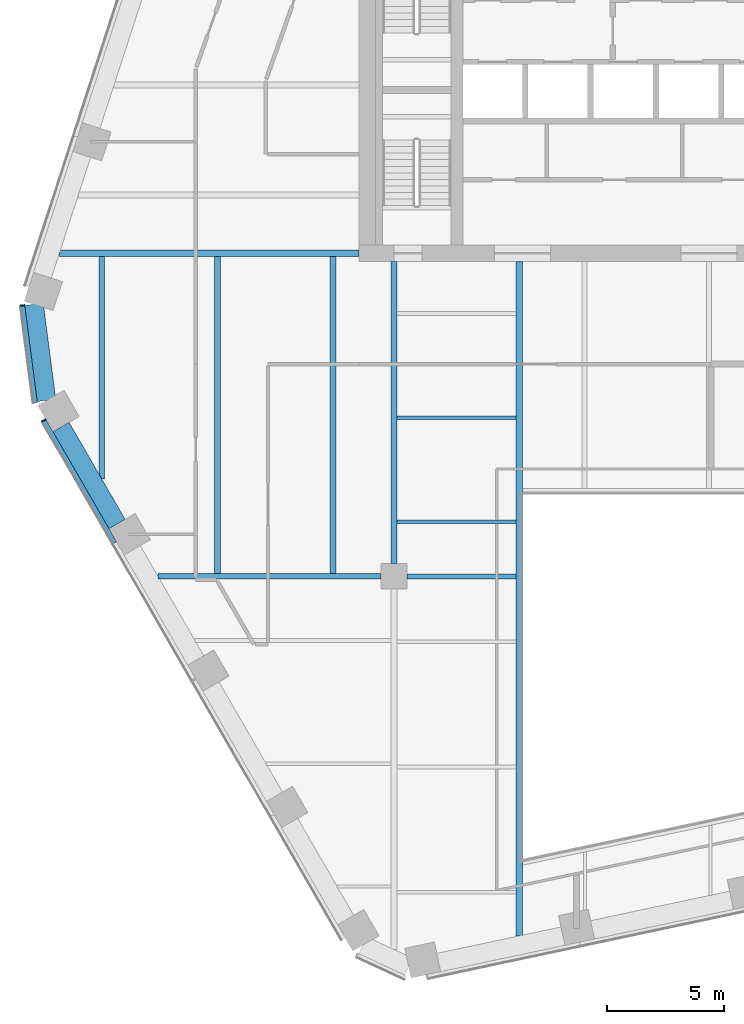
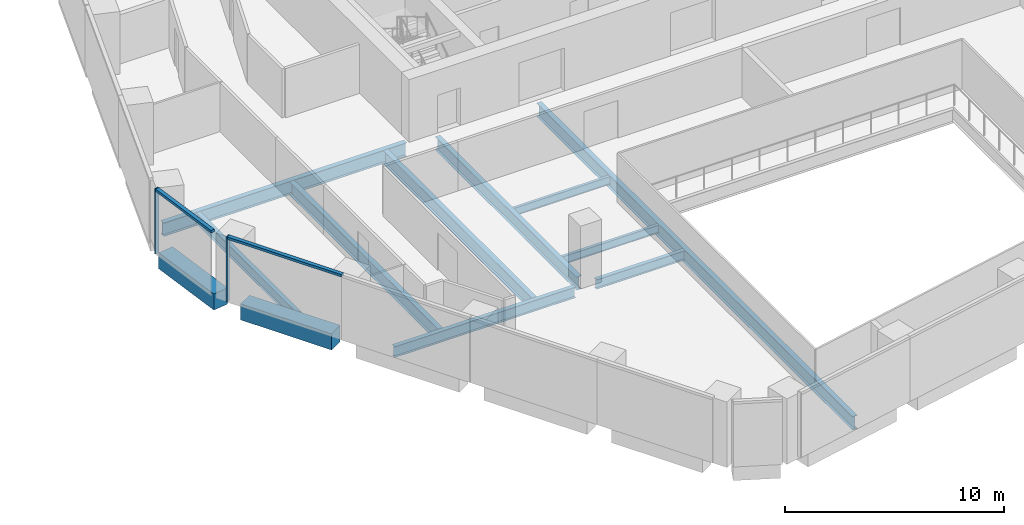
# One storey, part 3 of 16: 12 beams, 4 members, 2 elements without a shape of their own.
"""IFC4 building model written with IfcOpenShell, lengths in metres."""

from ifc_helpers import new_model, si_unit, direction, frame, origin, origin_2d, place, context, subcontext, project, spatial, rectangle, i_section, extrude, material, layer, layer_set, material_profile, profile_set, type_object, element, aggregate, save


model = new_model("IFC4")

# Units and contexts
model_context = context("Model", 3, precision=1e-05, world=origin(), true_north=direction((0.0, 1.0)))
body_context = subcontext(model_context, "Body", "Model", "MODEL_VIEW")
ifc_project = project(units=[si_unit("LENGTHUNIT", "METRE"), si_unit("AREAUNIT", "SQUARE_METRE"), si_unit("VOLUMEUNIT", "CUBIC_METRE"), si_unit("PLANEANGLEUNIT", "RADIAN"), si_unit("MASSUNIT", "GRAM", prefix="KILO")], contexts=[model_context])

# Site, building, storey
site_placement = place(None, origin())
site = spatial("IfcSite", under=ifc_project, at=site_placement, CompositionType="ELEMENT")
building_placement = place(site_placement, origin())
building = spatial("IfcBuilding", under=site, at=building_placement, Name="Isthmus Gate Tower", CompositionType="ELEMENT")
storey_placement = place(building_placement, frame((0.0, 0.0, 185.39990234375)))
storey = spatial("IfcBuildingStorey", under=building, at=storey_placement, Name="L46", CompositionType="ELEMENT", Elevation=185.39990234375)

# Curtain wall, member
ifc_material_1 = material(Name="Aluminium, pale champagne anodised", Category="aluminium")
ifc_layer = layer(ifc_material_1, 0.199951171875)
ifc_layer_set = layer_set([ifc_layer], Name="CW-1 UNITISED CURTAIN WALL 200 DEEP")
curtain_wall_type = type_object("IfcCurtainWallType", Name="CW-1 UNITISED CURTAIN WALL 200 DEEP", PredefinedType="NOTDEFINED", material=ifc_layer_set)
curtain_wall_1_placement = place(storey_placement, origin())
curtain_wall_1 = element("IfcCurtainWall", 1, at=curtain_wall_1_placement, inside=storey, type_object=curtain_wall_type, Name="CW-1 NW-SW L46", PredefinedType="NOTDEFINED")
ifc_material_2 = material(Name="Aluminium, pale champagne anodised", Category="aluminium")
ifc_material_profile_1 = material_profile(ifc_material_2, rectangle(XDim=0.06005859375, YDim=0.199951171875, at=origin_2d()), Name="60x200")
ifc_profile_set_1 = profile_set([ifc_material_profile_1], Name="Aluminium, pale champagne anodised")
member_type_1 = type_object("IfcMemberType", Name="CW-1 MULLION 60 X 200", PredefinedType="MULLION", material=ifc_profile_set_1)
member_1_placement = place(storey_placement, frame((-29.42724609375, -1.88525390625, 0.0), z_axis=(0.0, 0.0, 1.0), x_axis=(0.129164534, -0.991623175988, 0.0)))
member_1 = element("IfcMember", 2, at=member_1_placement, type_object=member_type_1, Name="CW-1 mullion", PredefinedType="MULLION", context=body_context, shape_type="SweptSolid", body=[
    extrude(rectangle(XDim=0.06005859375, YDim=0.199951171875, at=origin_2d()), origin(), (0.0, 0.0, 1.0), 3.650146484375),
])

curtain_wall_2_placement = place(storey_placement, origin())
curtain_wall_2 = element("IfcCurtainWall", 3, at=curtain_wall_2_placement, inside=storey, type_object=curtain_wall_type, Name="CW-1 SW L46", PredefinedType="NOTDEFINED")
member_2_placement = place(storey_placement, frame((-28.5146484375, -6.811279296875, 0.0), z_axis=(0.0, 0.0, 1.0), x_axis=(0.5, -0.866025403784, 0.0)))
member_2 = element("IfcMember", 4, at=member_2_placement, type_object=member_type_1, Name="CW-1 mullion", PredefinedType="MULLION", context=body_context, shape_type="SweptSolid", body=[
    extrude(rectangle(XDim=0.06005859375, YDim=0.199951171875, at=origin_2d()), origin(), (0.0, 0.0, 1.0), 3.650146484375),
])

# Member
ifc_material_3 = material(Name="Aluminium, pale champagne anodised", Category="aluminium")
ifc_material_profile_2 = material_profile(ifc_material_3, rectangle(XDim=0.199951171875, YDim=0.139892578125, at=origin_2d()), Name="200x140")
ifc_profile_set_2 = profile_set([ifc_material_profile_2], Name="Aluminium, pale champagne anodised")
member_type_2 = type_object("IfcMemberType", Name="CW-1 TRANSOM 200 X 140", PredefinedType="USERDEFINED", material=ifc_profile_set_2)
member_3_placement = place(storey_placement, frame((-29.42333984375, -1.9150390625, 3.580078125), z_axis=(0.129149481977, -0.991625136483, 0.0), x_axis=(0.991625136483, 0.129149481977, 0.0)))
member_3 = element("IfcMember", 5, at=member_3_placement, type_object=member_type_2, Name="CW-1 transom", ObjectType="TRANSOM", PredefinedType="USERDEFINED", context=body_context, shape_type="SweptSolid", body=[
    extrude(rectangle(XDim=0.199951171875, YDim=0.139892578125, at=origin_2d()), origin(), (0.0, 0.0, 1.0), 4.181396484375),
])

aggregate(curtain_wall_1, [member_1, member_3])

member_4_placement = place(storey_placement, frame((-28.49951171875, -6.837158203125, 3.580078125), z_axis=(0.499990697366, -0.866030774596, 0.0), x_axis=(0.866030774596, 0.499990697366, 0.0)))
member_4 = element("IfcMember", 6, at=member_4_placement, type_object=member_type_2, Name="CW-1 transom", ObjectType="TRANSOM", PredefinedType="USERDEFINED", context=body_context, shape_type="SweptSolid", body=[
    extrude(rectangle(XDim=0.199951171875, YDim=0.139892578125, at=origin_2d()), origin(), (0.0, 0.0, 1.0), 6.0400390625),
])

aggregate(curtain_wall_2, [member_2, member_4])

# Beams
ifc_material_4 = material(Name="Concrete f'c 60 MPa", Category="concrete")
ifc_material_profile_3 = material_profile(ifc_material_4, rectangle(XDim=0.800048828125, YDim=0.89990234375, at=origin_2d()), Name="RC 800X900")
ifc_profile_set_3 = profile_set([ifc_material_profile_3], Name="Concrete f'c 60 MPa")
beam_type_1 = type_object("IfcBeamType", Name="RC SPANDREL 800 X 900", PredefinedType="SPANDREL", material=ifc_profile_set_3)
beam_1_placement = place(storey_placement, frame((-25.37158203125, -11.255126953125, -0.449951171875), z_axis=(-0.499979284789, 0.866037363387, 0.0), x_axis=(-0.866037363387, -0.499979284789, 0.0)))
element("IfcBeam", 7, at=beam_1_placement, inside=storey, type_object=beam_type_1, Name="str-spandrel-L46-19", PredefinedType="SPANDREL", context=body_context, shape_type="SweptSolid", body=[
    extrude(rectangle(XDim=0.800048828125, YDim=0.89990234375, at=origin_2d()), origin(), (0.0, 0.0, 1.0), 4.800048828125),
])
beam_2_placement = place(storey_placement, frame((-28.392822265625, -5.955810546875, -0.449951171875), z_axis=(-0.129170777359, 0.991622362735, 0.0), x_axis=(-0.991622362735, -0.129170777359, 0.0)))
element("IfcBeam", 8, at=beam_2_placement, inside=storey, type_object=beam_type_1, Name="str-spandrel-L46-20", PredefinedType="SPANDREL", context=body_context, shape_type="SweptSolid", body=[
    extrude(rectangle(XDim=0.800048828125, YDim=0.89990234375, at=origin_2d()), origin(), (0.0, 0.0, 1.0), 4.15234375),
])
ifc_material_5 = material(Name="Structural steel ASTM A992 Gr 50", Category="steel")
ifc_material_profile_4 = material_profile(ifc_material_5, i_section(OverallWidth=0.15234375, OverallDepth=0.45068359375, WebThickness=0.0078125, FlangeThickness=0.010986328125, at=origin_2d()), Name="W18X35")
ifc_profile_set_4 = profile_set([ifc_material_profile_4], Name="Structural steel ASTM A992 Gr 50")
beam_type_2 = type_object("IfcBeamType", Name="STEEL FLOOR BEAM W18X35", PredefinedType="JOIST", material=ifc_profile_set_4)
for number, where, z_axis, x_axis, name in (
    (9, (-13.3681640625, -11.16259765625, -0.375244140625), (1.0, 0.0, 0.0), (0.0, 1.0, 0.0), "str-beam-L46-04-00"),
    (10, (-13.3681640625, -6.697509765625, -0.375244140625), (1.0, 0.0, 0.0), (0.0, 1.0, 0.0), "str-beam-L46-04-01"),
):
    element("IfcBeam", number, at=place(storey_placement, frame(where, z_axis=z_axis, x_axis=x_axis)), inside=storey, type_object=beam_type_2, Name=name, PredefinedType="JOIST", context=body_context, shape_type="SweptSolid", body=[
        extrude(i_section(OverallWidth=0.15234375, OverallDepth=0.45068359375, WebThickness=0.0078125, FlangeThickness=0.010986328125, at=origin_2d()), origin(), (0.0, 0.0, 1.0), 5.1015625),
    ])
ifc_material_6 = material(Name="Structural steel ASTM A992 Gr 50", Category="steel")
ifc_material_profile_5 = material_profile(ifc_material_6, i_section(OverallWidth=0.228515625, OverallDepth=0.603271484375, WebThickness=0.010986328125, FlangeThickness=0.014404296875, at=origin_2d()), Name="W24X68")
ifc_profile_set_5 = profile_set([ifc_material_profile_5], Name="Structural steel ASTM A992 Gr 50")
beam_type_3 = type_object("IfcBeamType", Name="STEEL FLOOR BEAM W24X68", PredefinedType="JOIST", material=ifc_profile_set_5)
beam_3_placement = place(storey_placement, frame((-26.028564453125, -9.317138671875, -0.451416015625), z_axis=(0.0, 1.0, 0.0), x_axis=(-1.0, 0.0, 0.0)))
element("IfcBeam", 11, at=beam_3_placement, inside=storey, type_object=beam_type_3, Name="str-beam-L46-00-00", PredefinedType="JOIST", context=body_context, shape_type="SweptSolid", body=[
    extrude(i_section(OverallWidth=0.228515625, OverallDepth=0.603271484375, WebThickness=0.010986328125, FlangeThickness=0.014404296875, at=origin_2d()), origin(), (0.0, 0.0, 1.0), 9.535400390625),
])
ifc_material_7 = material(Name="Structural steel ASTM A992 Gr 50", Category="steel")
ifc_material_profile_6 = material_profile(ifc_material_7, i_section(OverallWidth=0.263427734375, OverallDepth=0.749267578125, WebThickness=0.0126953125, FlangeThickness=0.015869140625, at=origin_2d()), Name="W30X90")
ifc_profile_set_6 = profile_set([ifc_material_profile_6], Name="Structural steel ASTM A992 Gr 50")
beam_type_4 = type_object("IfcBeamType", Name="STEEL FLOOR BEAM W30X90", PredefinedType="JOIST", material=ifc_profile_set_6)
for number, where, z_axis, x_axis, name in (
    (12, (-21.06982421875, -13.3857421875, -0.524658203125), (0.0, 1.0, 0.0), (-1.0, 0.0, 0.0), "str-beam-L46-00-01"),
    (13, (-16.111083984375, -13.3857421875, -0.524658203125), (0.0, 1.0, 0.0), (-1.0, 0.0, 0.0), "str-beam-L46-00-02"),
):
    element("IfcBeam", number, at=place(storey_placement, frame(where, z_axis=z_axis, x_axis=x_axis)), inside=storey, type_object=beam_type_4, Name=name, PredefinedType="JOIST", context=body_context, shape_type="SweptSolid", body=[
        extrude(i_section(OverallWidth=0.263427734375, OverallDepth=0.749267578125, WebThickness=0.0126953125, FlangeThickness=0.015869140625, at=origin_2d()), origin(), (0.0, 0.0, 1.0), 13.60400390625),
    ])
ifc_material_8 = material(Name="Structural steel ASTM A992 Gr 50", Category="steel")
ifc_material_profile_7 = material_profile(ifc_material_8, i_section(OverallWidth=0.20947265625, OverallDepth=0.533447265625, WebThickness=0.009521484375, FlangeThickness=0.015869140625, at=origin_2d()), Name="W21X62")
ifc_profile_set_7 = profile_set([ifc_material_profile_7], Name="Structural steel ASTM A992 Gr 50")
beam_type_5 = type_object("IfcBeamType", Name="STEEL GIRDER W21X62", PredefinedType="BEAM", material=ifc_profile_set_7)
beam_4_placement = place(storey_placement, frame((-12.949951171875, -13.5, -0.41650390625), z_axis=(1.0, 0.0, 0.0), x_axis=(0.0, 1.0, 0.0)))
element("IfcBeam", 14, at=beam_4_placement, inside=storey, type_object=beam_type_5, Name="str-girder-L46-02", PredefinedType="BEAM", context=body_context, shape_type="SweptSolid", body=[
    extrude(i_section(OverallWidth=0.20947265625, OverallDepth=0.533447265625, WebThickness=0.009521484375, FlangeThickness=0.015869140625, at=origin_2d()), origin(), (0.0, 0.0, 1.0), 4.683349609375),
])
ifc_material_9 = material(Name="Structural steel ASTM A992 Gr 50", Category="steel")
ifc_material_profile_8 = material_profile(ifc_material_9, i_section(OverallWidth=0.228515625, OverallDepth=0.6064453125, WebThickness=0.010986328125, FlangeThickness=0.017578125, at=origin_2d()), Name="W24X76")
ifc_profile_set_8 = profile_set([ifc_material_profile_8], Name="Structural steel ASTM A992 Gr 50")
beam_type_6 = type_object("IfcBeamType", Name="STEEL GIRDER W24X76", PredefinedType="BEAM", material=ifc_profile_set_8)
beam_5_placement = place(storey_placement, frame((-23.613525390625, -13.5, -0.453125), z_axis=(1.0, 0.0, 0.0), x_axis=(0.0, 1.0, 0.0)))
element("IfcBeam", 15, at=beam_5_placement, inside=storey, type_object=beam_type_6, Name="str-girder-L46-01", PredefinedType="BEAM", context=body_context, shape_type="SweptSolid", body=[
    extrude(i_section(OverallWidth=0.228515625, OverallDepth=0.6064453125, WebThickness=0.010986328125, FlangeThickness=0.017578125, at=origin_2d()), origin(), (0.0, 0.0, 1.0), 9.5634765625),
])
ifc_material_10 = material(Name="Structural steel ASTM A992 Gr 50", Category="steel")
ifc_material_profile_9 = material_profile(ifc_material_10, i_section(OverallWidth=0.263427734375, OverallDepth=0.749267578125, WebThickness=0.0126953125, FlangeThickness=0.015869140625, at=origin_2d()), Name="W30X90")
ifc_profile_set_9 = profile_set([ifc_material_profile_9], Name="Structural steel ASTM A992 Gr 50")
beam_type_7 = type_object("IfcBeamType", Name="STEEL GIRDER W30X90", PredefinedType="BEAM", material=ifc_profile_set_9)
beam_6_placement = place(storey_placement, frame((-13.5, -12.949951171875, -0.524658203125), z_axis=(0.0, 1.0, 0.0), x_axis=(-1.0, 0.0, 0.0)))
element("IfcBeam", 16, at=beam_6_placement, inside=storey, type_object=beam_type_7, Name="str-girder-L46-08", PredefinedType="BEAM", context=body_context, shape_type="SweptSolid", body=[
    extrude(i_section(OverallWidth=0.263427734375, OverallDepth=0.749267578125, WebThickness=0.0126953125, FlangeThickness=0.015869140625, at=origin_2d()), origin(), (0.0, 0.0, 1.0), 12.949951171875),
])
beam_7_placement = place(storey_placement, frame((-15.0, 0.35009765625, -0.524658203125), z_axis=(-1.0, 0.0, 0.0), x_axis=(0.0, -1.0, 0.0)))
element("IfcBeam", 17, at=beam_7_placement, inside=storey, type_object=beam_type_7, Name="str-girder-L46-13", PredefinedType="BEAM", context=body_context, shape_type="SweptSolid", body=[
    extrude(i_section(OverallWidth=0.263427734375, OverallDepth=0.749267578125, WebThickness=0.0126953125, FlangeThickness=0.015869140625, at=origin_2d()), origin(), (0.0, 0.0, 1.0), 12.8427734375),
])
ifc_material_11 = material(Name="Structural steel ASTM A992 Gr 50", Category="steel")
ifc_material_profile_10 = material_profile(ifc_material_11, i_section(OverallWidth=0.2666015625, OverallDepth=0.7587890625, WebThickness=0.014404296875, FlangeThickness=0.01904296875, at=origin_2d()), Name="W30X108")
ifc_profile_set_10 = profile_set([ifc_material_profile_10], Name="Structural steel ASTM A992 Gr 50")
beam_type_8 = type_object("IfcBeamType", Name="STEEL TRIMMER W30X108", PredefinedType="BEAM", material=ifc_profile_set_10)
beam_8_placement = place(storey_placement, frame((-8.13330078125, 0.0, -0.529296875), z_axis=(0.0, -1.0, 0.0), x_axis=(1.0, 0.0, 0.0)))
element("IfcBeam", 18, at=beam_8_placement, inside=storey, type_object=beam_type_8, Name="str-trimmer-L46-02", PredefinedType="BEAM", context=body_context, shape_type="SweptSolid", body=[
    extrude(i_section(OverallWidth=0.2666015625, OverallDepth=0.7587890625, WebThickness=0.014404296875, FlangeThickness=0.01904296875, at=origin_2d()), origin(), (0.0, 0.0, 1.0), 28.910888671875),
])

save(model, "model.ifc")
